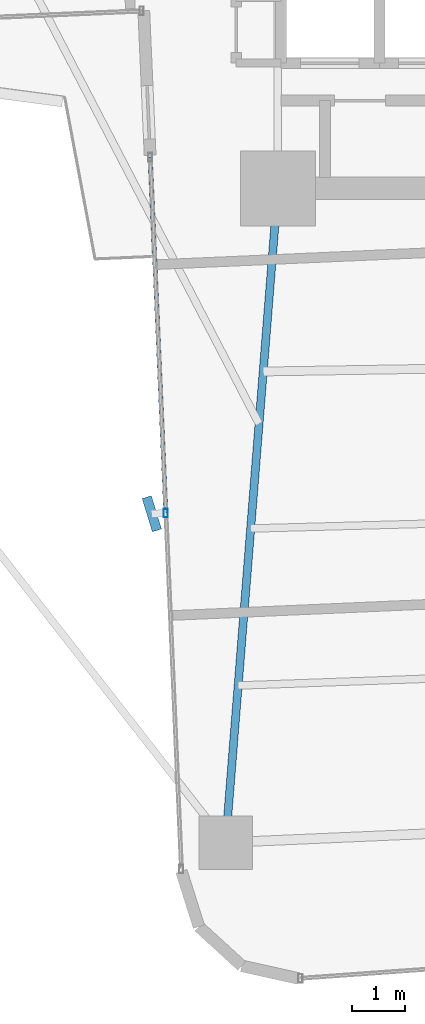
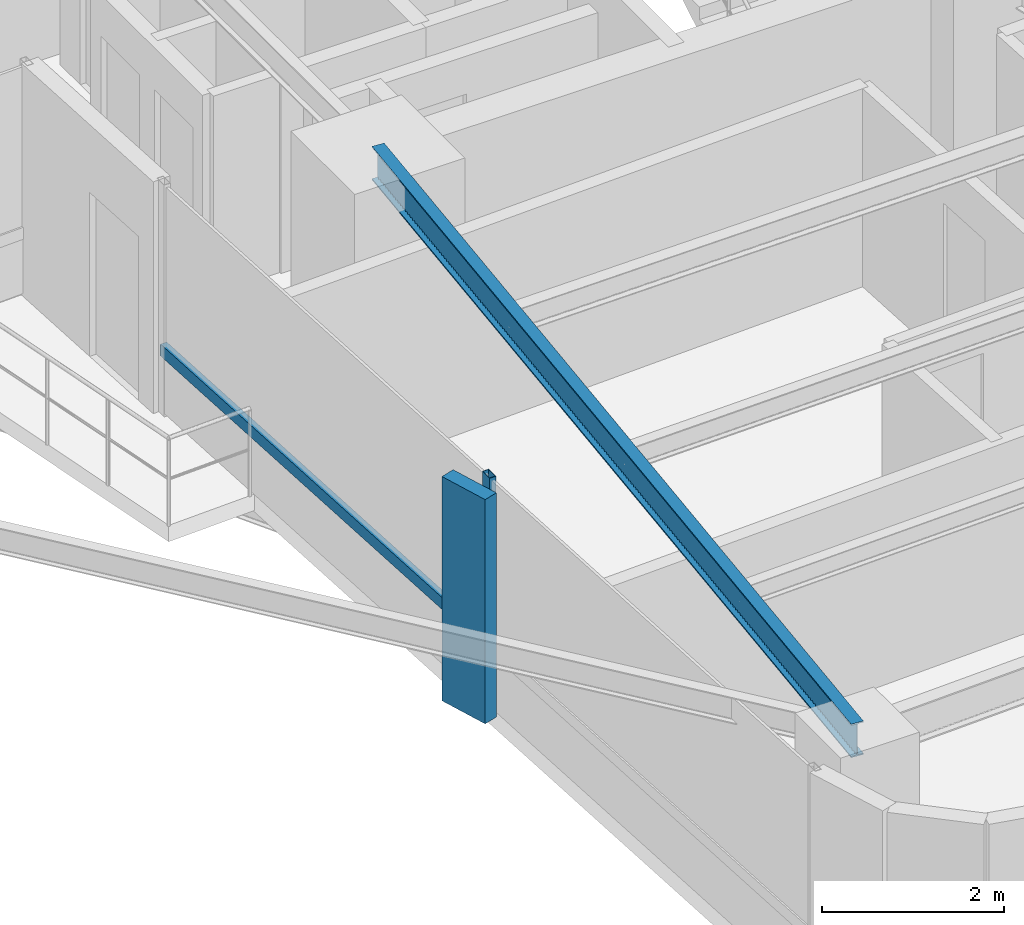
# One storey, part 4 of 26: 3 members, 1 beam, 1 element without a shape of its own.
"""IFC4 building model written with IfcOpenShell, lengths in metres."""

from ifc_helpers import new_model, si_unit, direction, frame, origin, origin_2d, place, context, subcontext, project, spatial, rectangle, hollow_rectangle, i_section, extrude, source, transform, mapped, material, material_profile, profile_set, type_object, element, aggregate, save


model = new_model("IFC4")

# Units and contexts
model_context = context("Model", 3, precision=1e-05, world=origin(), true_north=direction((0.0, 1.0)))
body_context = subcontext(model_context, "Body", "Model", "MODEL_VIEW")
ifc_project = project(units=[si_unit("LENGTHUNIT", "METRE"), si_unit("AREAUNIT", "SQUARE_METRE"), si_unit("VOLUMEUNIT", "CUBIC_METRE"), si_unit("PLANEANGLEUNIT", "RADIAN"), si_unit("MASSUNIT", "GRAM", prefix="KILO")], contexts=[model_context])

# Site, building, storey
site_placement = place(None, origin())
site = spatial("IfcSite", under=ifc_project, at=site_placement, CompositionType="ELEMENT")
building_placement = place(site_placement, origin())
building = spatial("IfcBuilding", under=site, at=building_placement, Name="Sahyath Konkavel Grand Hotel", CompositionType="ELEMENT")
storey_placement = place(building_placement, frame((0.0, 0.0, 121.5)))
storey = spatial("IfcBuildingStorey", under=building, at=storey_placement, Name="L33", CompositionType="ELEMENT", Elevation=121.5)

# Beam
ifc_material_1 = material(Name="Steel E350", Category="steel")
ifc_material_profile_1 = material_profile(ifc_material_1, i_section(OverallWidth=0.14990234375, OverallDepth=0.449951171875, WebThickness=0.009521484375, FlangeThickness=0.017333984375, FilletRadius=0.014892578125, at=origin_2d()), Name="ISMB 450")
ifc_profile_set_1 = profile_set([ifc_material_profile_1], Name="Steel E350")
beam_type = type_object("IfcBeamType", Name="BM-ISMB450", PredefinedType="BEAM", material=ifc_profile_set_1)
shared_shape_1 = source(origin(), body_context, "Body", "SweptSolid", [
    extrude(i_section(OverallWidth=0.14990234375, OverallDepth=0.449951171875, WebThickness=0.009521484375, FlangeThickness=0.017333984375, FilletRadius=0.014892578125, at=origin_2d()), origin(), (0.0, 0.0, 1.0), 12.2685546875),
])
beam_placement = place(storey_placement, frame((-3.800048828125, -10.199951171875, 2.885009765625), z_axis=(-0.079558563357, -0.996830193662, 0.0), x_axis=(0.996830193662, -0.079558563357, 0.0)))
element("IfcBeam", 1, at=beam_placement, inside=storey, type_object=beam_type, Name="L33 Cruciform Radial Girder SA", PredefinedType="BEAM", context=body_context, shape_type="MappedRepresentation", body=[
    mapped(shared_shape_1, transform((0.0, 0.0, 0.0), scale=1.0)),
])

# Curtain wall, members
ifc_material_2 = material(Name="Anodised Bronze Aluminium & Low-E Glazing", Category="aluminium")
curtain_wall_type = type_object("IfcCurtainWallType", Name="CW-ZONE2", PredefinedType="NOTDEFINED", material=ifc_material_2)
curtain_wall_placement = place(storey_placement, origin())
curtain_wall = element("IfcCurtainWall", 2, at=curtain_wall_placement, inside=storey, type_object=curtain_wall_type, Name="L33 Unitised Curtain Wall F24", PredefinedType="NOTDEFINED")
ifc_material_3 = material(Name="Warm Buff Sandstone Cladding on Concrete C50/60", Category="masonry")
ifc_material_profile_2 = material_profile(ifc_material_3, rectangle(XDim=0.179931640625, YDim=0.64990234375, at=origin_2d()), Name="FIN 180x650")
ifc_profile_set_2 = profile_set([ifc_material_profile_2], Name="Warm Buff Sandstone Cladding on Concrete C50/60")
member_type_1 = type_object("IfcMemberType", Name="FIN-SANDSTONE-650", PredefinedType="MULLION", material=ifc_profile_set_2)
shared_shape_2 = source(origin(), body_context, "Body", "SweptSolid", [
    extrude(rectangle(XDim=0.179931640625, YDim=0.64990234375, at=origin_2d()), origin(), (0.0, 0.0, 1.0), 3.010009765625),
])
member_1_placement = place(storey_placement, frame((-6.155517578125, -16.283935546875, 0.050048828125), z_axis=(0.0, 0.0, 1.0), x_axis=(0.956610402488, 0.291370104596, 0.0)))
member_1 = element("IfcMember", 3, at=member_1_placement, type_object=member_type_1, Name="L33 Sandstone Vertical Solar Fin FIN F24-1", PredefinedType="MULLION", context=body_context, shape_type="MappedRepresentation", body=[
    mapped(shared_shape_2, transform((0.0, 0.0, 0.0), scale=1.0)),
])
ifc_material_4 = material(Name="Anodised Bronze Aluminium", Category="aluminium")
ifc_material_profile_3 = material_profile(ifc_material_4, hollow_rectangle(XDim=0.080078125, YDim=0.159912109375, WallThickness=0.006103515625, at=origin_2d()), Name="RHS 160x80x6")
ifc_profile_set_3 = profile_set([ifc_material_profile_3], Name="Anodised Bronze Aluminium")
member_type_2 = type_object("IfcMemberType", Name="CW-MUL-160", PredefinedType="MULLION", material=ifc_profile_set_3)
shared_shape_3 = source(origin(), body_context, "Body", "SweptSolid", [
    extrude(hollow_rectangle(XDim=0.080078125, YDim=0.159912109375, WallThickness=0.006103515625, at=origin_2d()), origin(), (0.0, 0.0, 1.0), 3.110107421875),
])
member_2_placement = place(storey_placement, frame((-5.895751953125, -16.272705078125, 0.0), z_axis=(0.0, 0.0, 1.0), x_axis=(1.0, 0.0, 0.0)))
member_2 = element("IfcMember", 4, at=member_2_placement, type_object=member_type_2, Name="L33 Curtain Wall Mullion F24-1", PredefinedType="MULLION", context=body_context, shape_type="MappedRepresentation", body=[
    mapped(shared_shape_3, transform((0.0, 0.0, 0.0), scale=1.0)),
])
ifc_material_profile_4 = material_profile(ifc_material_4, hollow_rectangle(XDim=0.080078125, YDim=0.159912109375, WallThickness=0.006103515625, at=origin_2d()), Name="RHS 160x80x6")
ifc_profile_set_4 = profile_set([ifc_material_profile_4], Name="Anodised Bronze Aluminium")
member_type_3 = type_object("IfcMemberType", Name="CW-TRN-160", PredefinedType="USERDEFINED", material=ifc_profile_set_4)
shared_shape_4 = source(origin(), body_context, "Body", "SweptSolid", [
    extrude(hollow_rectangle(XDim=0.080078125, YDim=0.159912109375, WallThickness=0.006103515625, at=origin_2d()), origin(), (0.0, 0.0, 1.0), 6.66015625),
])
member_3_placement = place(storey_placement, frame((-6.186279296875, -9.618896484375, 0.85009765625), z_axis=(0.043621753165, -0.999048118286, 0.0), x_axis=(0.999048118286, 0.043621753165, 0.0)))
member_3 = element("IfcMember", 5, at=member_3_placement, type_object=member_type_3, Name="L33 Curtain Wall Transom F24-0-spandrel", ObjectType="TRANSOM", PredefinedType="USERDEFINED", context=body_context, shape_type="MappedRepresentation", body=[
    mapped(shared_shape_4, transform((0.0, 0.0, 0.0), scale=1.0)),
])
aggregate(curtain_wall, [member_2, member_1, member_3])

save(model, "model.ifc")
